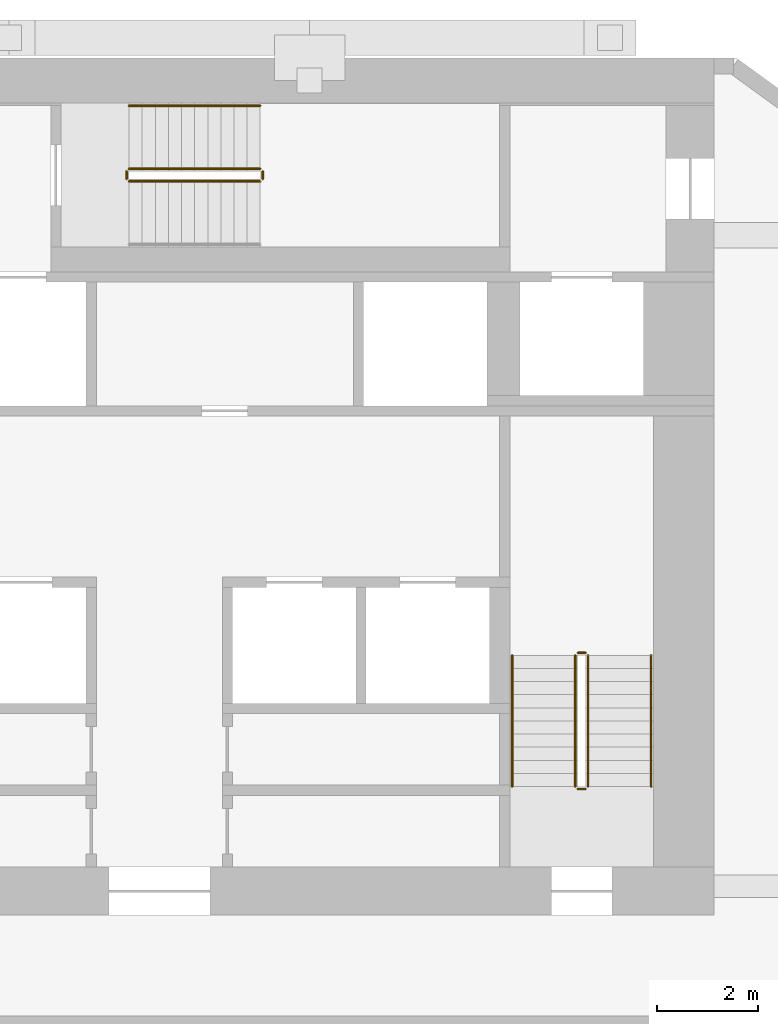
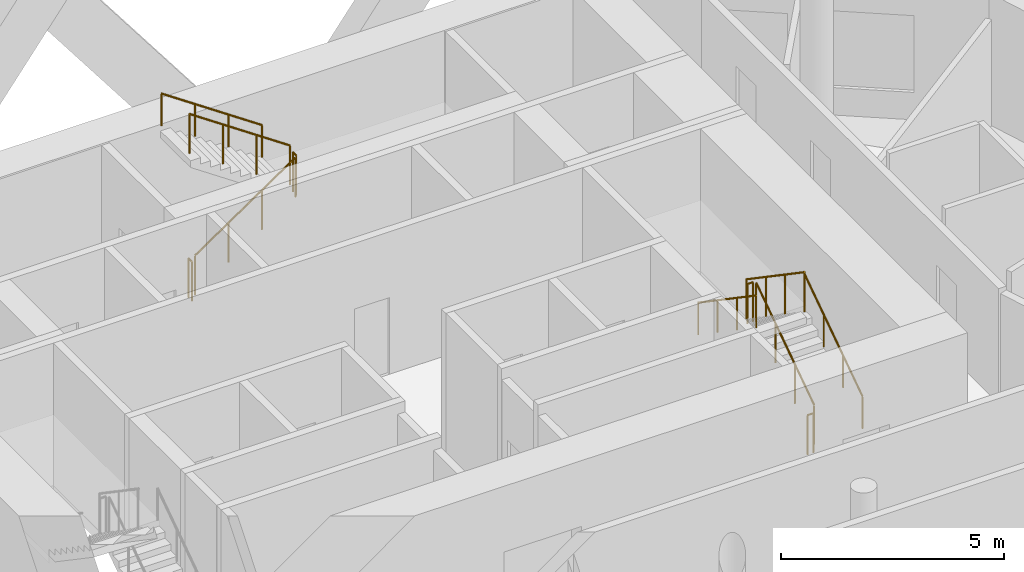
# One storey, part 10 of 10: 11 railings.
"""IFC4 building model written with IfcOpenShell, lengths in metres."""

from ifc_helpers import new_model, si_unit, direction, frame, origin, origin_2d, place, context, subcontext, project, spatial, circle, extrude, material, type_object, element, save


model = new_model("IFC4")

# Units and contexts
model_context = context("Model", 3, precision=1e-05, world=origin(), true_north=direction((0.0, 1.0)))
body_context = subcontext(model_context, "Body", "Model", "MODEL_VIEW")
ifc_project = project(units=[si_unit("LENGTHUNIT", "METRE"), si_unit("AREAUNIT", "SQUARE_METRE"), si_unit("VOLUMEUNIT", "CUBIC_METRE"), si_unit("PLANEANGLEUNIT", "RADIAN"), si_unit("MASSUNIT", "GRAM", prefix="KILO")], contexts=[model_context])

# Site, building, storey
site_placement = place(None, origin())
site = spatial("IfcSite", under=ifc_project, at=site_placement, CompositionType="ELEMENT")
building_placement = place(site_placement, origin())
building = spatial("IfcBuilding", under=site, at=building_placement, Name="White Candle Pilgrim Tower", CompositionType="ELEMENT")
storey_placement = place(building_placement, frame((0.0, 0.0, 183.699951171875)))
storey = spatial("IfcBuildingStorey", under=building, at=storey_placement, Name="L42", CompositionType="ELEMENT", Elevation=183.699951171875)

# Railings
ifc_material = material(Name="Stainless steel", Category="steel")
railing_type_1 = type_object("IfcRailingType", Name="Stair guard stainless steel 1100 mm", PredefinedType="GUARDRAIL", material=ifc_material)
railing_1_placement = place(storey_placement, frame((78.5, 73.550048828125, 0.17724609375)))
element("IfcRailing", 1, at=railing_1_placement, inside=storey, type_object=railing_type_1, Name="L42 ST2 stair guard 1", PredefinedType="GUARDRAIL", context=body_context, shape_type="SweptSolid", body=[
    extrude(circle(Radius=0.02392578125, at=origin_2d()), frame((0.0, 0.0, 1.076171875), z_axis=(0.0, 0.826215852431, 0.563353676824), x_axis=(-1.0, 0.0, 0.0)), (0.0, 0.0, 1.0), 3.146728515625),
    extrude(circle(Radius=0.02099609375, at=origin_2d()), origin(), (0.0, 0.0, 1.0), 1.052001953125),
    extrude(circle(Radius=0.02099609375, at=origin_2d()), frame((0.0, 0.86669921875, 0.5908203125)), (0.0, 0.0, 1.0), 1.052001953125),
    extrude(circle(Radius=0.02099609375, at=origin_2d()), frame((0.0, 1.733154296875, 1.181884765625)), (0.0, 0.0, 1.0), 1.052001953125),
    extrude(circle(Radius=0.02099609375, at=origin_2d()), frame((0.0, 2.599853515625, 1.772705078125)), (0.0, 0.0, 1.0), 1.052001953125),
])
railing_2_placement = place(storey_placement, frame((78.449951171875, 76.199951171875, 1.949951171875)))
element("IfcRailing", 2, at=railing_2_placement, inside=storey, type_object=railing_type_1, Name="L42 ST2 stair guard 2", PredefinedType="GUARDRAIL", context=body_context, shape_type="SweptSolid", body=[
    extrude(circle(Radius=0.02392578125, at=origin_2d()), frame((0.0, 0.0, 1.076171875), z_axis=(-1.0, 0.0, 0.0), x_axis=(0.0, -1.0, 0.0)), (0.0, 0.0, 1.0), 0.14990234375),
    extrude(circle(Radius=0.02099609375, at=origin_2d()), origin(), (0.0, 0.0, 1.0), 1.052001953125),
    extrude(circle(Radius=0.02099609375, at=origin_2d()), frame((-0.14990234375, 0.0, 0.0)), (0.0, 0.0, 1.0), 1.052001953125),
])
railing_3_placement = place(storey_placement, frame((78.25, 76.14990234375, 2.12744140625)))
element("IfcRailing", 3, at=railing_3_placement, inside=storey, type_object=railing_type_1, Name="L42 ST2 stair guard 3", PredefinedType="GUARDRAIL", context=body_context, shape_type="SweptSolid", body=[
    extrude(circle(Radius=0.02392578125, at=origin_2d()), frame((0.0, 0.0, 1.076171875), z_axis=(0.0, -0.826215852431, 0.563353676824), x_axis=(1.0, 0.0, 0.0)), (0.0, 0.0, 1.0), 3.146728515625),
    extrude(circle(Radius=0.02099609375, at=origin_2d()), origin(), (0.0, 0.0, 1.0), 1.052001953125),
    extrude(circle(Radius=0.02099609375, at=origin_2d()), frame((0.0, -0.86669921875, 0.5908203125)), (0.0, 0.0, 1.0), 1.052001953125),
    extrude(circle(Radius=0.02099609375, at=origin_2d()), frame((0.0, -1.733154296875, 1.181884765625)), (0.0, 0.0, 1.0), 1.052001953125),
    extrude(circle(Radius=0.02099609375, at=origin_2d()), frame((0.0, -2.599853515625, 1.772705078125)), (0.0, 0.0, 1.0), 1.052001953125),
])
railing_4_placement = place(storey_placement, frame((78.449951171875, 73.5, 0.0)))
element("IfcRailing", 4, at=railing_4_placement, inside=storey, type_object=railing_type_1, Name="L42 ST2 stair guard 4", PredefinedType="GUARDRAIL", context=body_context, shape_type="SweptSolid", body=[
    extrude(circle(Radius=0.02392578125, at=origin_2d()), frame((0.0, 0.0, 1.076171875), z_axis=(-1.0, 0.0, 0.0), x_axis=(0.0, -1.0, 0.0)), (0.0, 0.0, 1.0), 0.14990234375),
    extrude(circle(Radius=0.02099609375, at=origin_2d()), origin(), (0.0, 0.0, 1.0), 1.052001953125),
    extrude(circle(Radius=0.02099609375, at=origin_2d()), frame((-0.14990234375, 0.0, 0.0)), (0.0, 0.0, 1.0), 1.052001953125),
])
railing_5_placement = place(storey_placement, frame((69.39990234375, 85.550048828125, 0.17724609375)))
element("IfcRailing", 5, at=railing_5_placement, inside=storey, type_object=railing_type_1, Name="L42 ST3 stair guard 1", PredefinedType="GUARDRAIL", context=body_context, shape_type="SweptSolid", body=[
    extrude(circle(Radius=0.02392578125, at=origin_2d()), frame((0.0, 0.0, 1.076171875), z_axis=(0.826240473404, 0.0, 0.563317565952), x_axis=(0.0, 1.0, 0.0)), (0.0, 0.0, 1.0), 3.14697265625),
    extrude(circle(Radius=0.02099609375, at=origin_2d()), origin(), (0.0, 0.0, 1.0), 1.052001953125),
    extrude(circle(Radius=0.02099609375, at=origin_2d()), frame((0.86669921875, 0.0, 0.5908203125)), (0.0, 0.0, 1.0), 1.052001953125),
    extrude(circle(Radius=0.02099609375, at=origin_2d()), frame((1.7333984375, 0.0, 1.181884765625)), (0.0, 0.0, 1.0), 1.052001953125),
    extrude(circle(Radius=0.02099609375, at=origin_2d()), frame((2.60009765625, 0.0, 1.772705078125)), (0.0, 0.0, 1.0), 1.052001953125),
])
railing_6_placement = place(storey_placement, frame((72.050048828125, 85.60009765625, 1.949951171875)))
element("IfcRailing", 6, at=railing_6_placement, inside=storey, type_object=railing_type_1, Name="L42 ST3 stair guard 2", PredefinedType="GUARDRAIL", context=body_context, shape_type="SweptSolid", body=[
    extrude(circle(Radius=0.02392578125, at=origin_2d()), frame((0.0, 0.0, 1.076171875), z_axis=(0.0, 1.0, 0.0), x_axis=(-1.0, 0.0, 0.0)), (0.0, 0.0, 1.0), 0.14990234375),
    extrude(circle(Radius=0.02099609375, at=origin_2d()), origin(), (0.0, 0.0, 1.0), 1.052001953125),
    extrude(circle(Radius=0.02099609375, at=origin_2d()), frame((0.0, 0.14990234375, 0.0)), (0.0, 0.0, 1.0), 1.052001953125),
])
railing_7_placement = place(storey_placement, frame((72.0, 85.800048828125, 2.12744140625)))
element("IfcRailing", 7, at=railing_7_placement, inside=storey, type_object=railing_type_1, Name="L42 ST3 stair guard 3", PredefinedType="GUARDRAIL", context=body_context, shape_type="SweptSolid", body=[
    extrude(circle(Radius=0.02392578125, at=origin_2d()), frame((0.0, 0.0, 1.076171875), z_axis=(-0.826240473404, 0.0, 0.563317565952), x_axis=(0.0, -1.0, 0.0)), (0.0, 0.0, 1.0), 3.14697265625),
    extrude(circle(Radius=0.02099609375, at=origin_2d()), origin(), (0.0, 0.0, 1.0), 1.052001953125),
    extrude(circle(Radius=0.02099609375, at=origin_2d()), frame((-0.86669921875, 0.0, 0.5908203125)), (0.0, 0.0, 1.0), 1.052001953125),
    extrude(circle(Radius=0.02099609375, at=origin_2d()), frame((-1.7333984375, 0.0, 1.181884765625)), (0.0, 0.0, 1.0), 1.052001953125),
    extrude(circle(Radius=0.02099609375, at=origin_2d()), frame((-2.60009765625, 0.0, 1.772705078125)), (0.0, 0.0, 1.0), 1.052001953125),
])
railing_8_placement = place(storey_placement, frame((69.35009765625, 85.60009765625, 0.0)))
element("IfcRailing", 8, at=railing_8_placement, inside=storey, type_object=railing_type_1, Name="L42 ST3 stair guard 4", PredefinedType="GUARDRAIL", context=body_context, shape_type="SweptSolid", body=[
    extrude(circle(Radius=0.02392578125, at=origin_2d()), frame((0.0, 0.0, 1.076171875), z_axis=(0.0, 1.0, 0.0), x_axis=(-1.0, 0.0, 0.0)), (0.0, 0.0, 1.0), 0.14990234375),
    extrude(circle(Radius=0.02099609375, at=origin_2d()), origin(), (0.0, 0.0, 1.0), 1.052001953125),
    extrude(circle(Radius=0.02099609375, at=origin_2d()), frame((0.0, 0.14990234375, 0.0)), (0.0, 0.0, 1.0), 1.052001953125),
])
railing_type_2 = type_object("IfcRailingType", Name="Stair handrail stainless steel", PredefinedType="HANDRAIL", material=ifc_material)
railing_9_placement = place(storey_placement, frame((79.75, 73.550048828125, 0.17724609375)))
element("IfcRailing", 9, at=railing_9_placement, inside=storey, type_object=railing_type_2, Name="L42 ST2 stair handrail 1", PredefinedType="HANDRAIL", context=body_context, shape_type="SweptSolid", body=[
    extrude(circle(Radius=0.02392578125, at=origin_2d()), frame((0.0, 0.0, 0.8759765625), z_axis=(0.0, 0.826215852431, 0.563353676824), x_axis=(-1.0, 0.0, 0.0)), (0.0, 0.0, 1.0), 3.146728515625),
    extrude(circle(Radius=0.02099609375, at=origin_2d()), origin(), (0.0, 0.0, 1.0), 0.851806640625),
    extrude(circle(Radius=0.02099609375, at=origin_2d()), frame((0.0, 0.86669921875, 0.5908203125)), (0.0, 0.0, 1.0), 0.851806640625),
    extrude(circle(Radius=0.02099609375, at=origin_2d()), frame((0.0, 1.733154296875, 1.181884765625)), (0.0, 0.0, 1.0), 0.851806640625),
    extrude(circle(Radius=0.02099609375, at=origin_2d()), frame((0.0, 2.599853515625, 1.772705078125)), (0.0, 0.0, 1.0), 0.851806640625),
])
railing_10_placement = place(storey_placement, frame((77.0, 76.14990234375, 2.12744140625)))
element("IfcRailing", 10, at=railing_10_placement, inside=storey, type_object=railing_type_2, Name="L42 ST2 stair handrail 2", PredefinedType="HANDRAIL", context=body_context, shape_type="SweptSolid", body=[
    extrude(circle(Radius=0.02392578125, at=origin_2d()), frame((0.0, 0.0, 0.8759765625), z_axis=(0.0, -0.826215852431, 0.563353676824), x_axis=(1.0, 0.0, 0.0)), (0.0, 0.0, 1.0), 3.146728515625),
    extrude(circle(Radius=0.02099609375, at=origin_2d()), origin(), (0.0, 0.0, 1.0), 0.851806640625),
    extrude(circle(Radius=0.02099609375, at=origin_2d()), frame((0.0, -0.86669921875, 0.5908203125)), (0.0, 0.0, 1.0), 0.851806640625),
    extrude(circle(Radius=0.02099609375, at=origin_2d()), frame((0.0, -1.733154296875, 1.181884765625)), (0.0, 0.0, 1.0), 0.851806640625),
    extrude(circle(Radius=0.02099609375, at=origin_2d()), frame((0.0, -2.599853515625, 1.772705078125)), (0.0, 0.0, 1.0), 0.851806640625),
])
railing_11_placement = place(storey_placement, frame((72.0, 87.050048828125, 2.12744140625)))
element("IfcRailing", 11, at=railing_11_placement, inside=storey, type_object=railing_type_2, Name="L42 ST3 stair handrail 2", PredefinedType="HANDRAIL", context=body_context, shape_type="SweptSolid", body=[
    extrude(circle(Radius=0.02392578125, at=origin_2d()), frame((0.0, 0.0, 0.8759765625), z_axis=(-0.826240473404, 0.0, 0.563317565952), x_axis=(0.0, -1.0, 0.0)), (0.0, 0.0, 1.0), 3.14697265625),
    extrude(circle(Radius=0.02099609375, at=origin_2d()), origin(), (0.0, 0.0, 1.0), 0.851806640625),
    extrude(circle(Radius=0.02099609375, at=origin_2d()), frame((-0.86669921875, 0.0, 0.5908203125)), (0.0, 0.0, 1.0), 0.851806640625),
    extrude(circle(Radius=0.02099609375, at=origin_2d()), frame((-1.7333984375, 0.0, 1.181884765625)), (0.0, 0.0, 1.0), 0.851806640625),
    extrude(circle(Radius=0.02099609375, at=origin_2d()), frame((-2.60009765625, 0.0, 1.772705078125)), (0.0, 0.0, 1.0), 0.851806640625),
])

save(model, "model.ifc")
